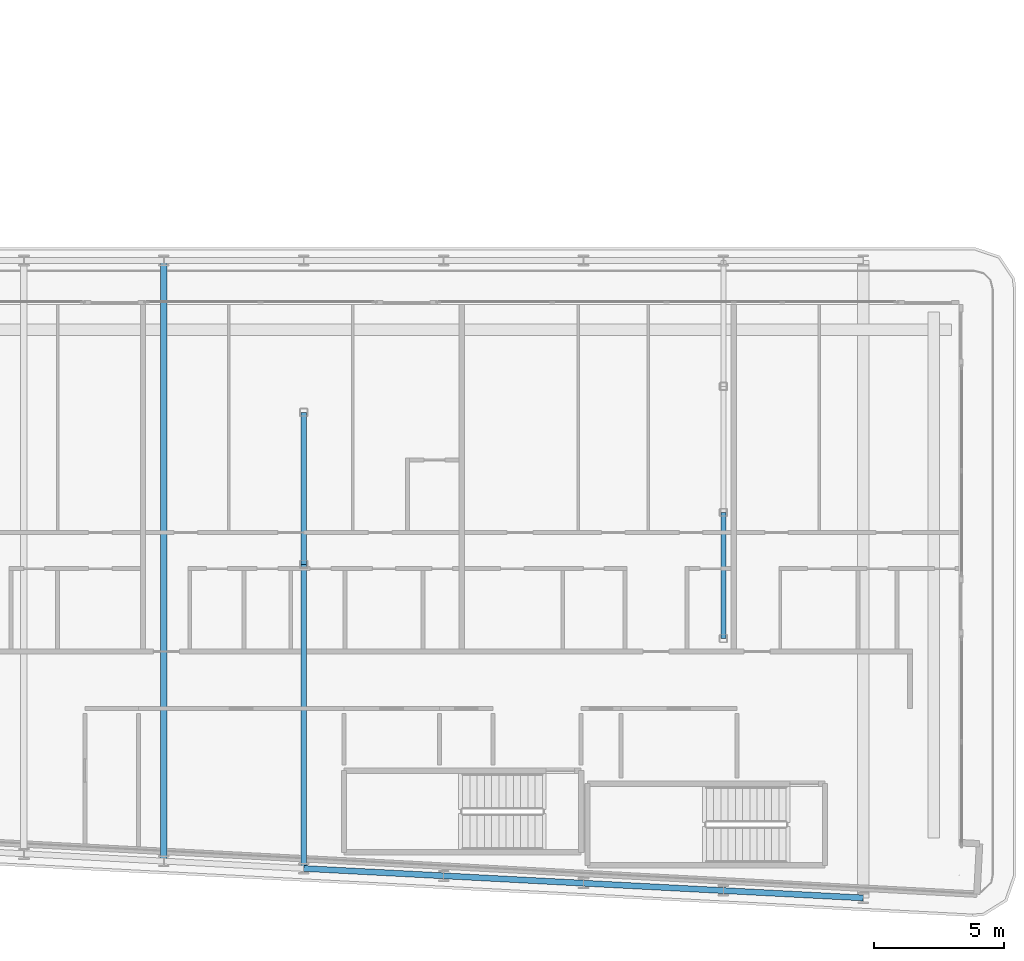
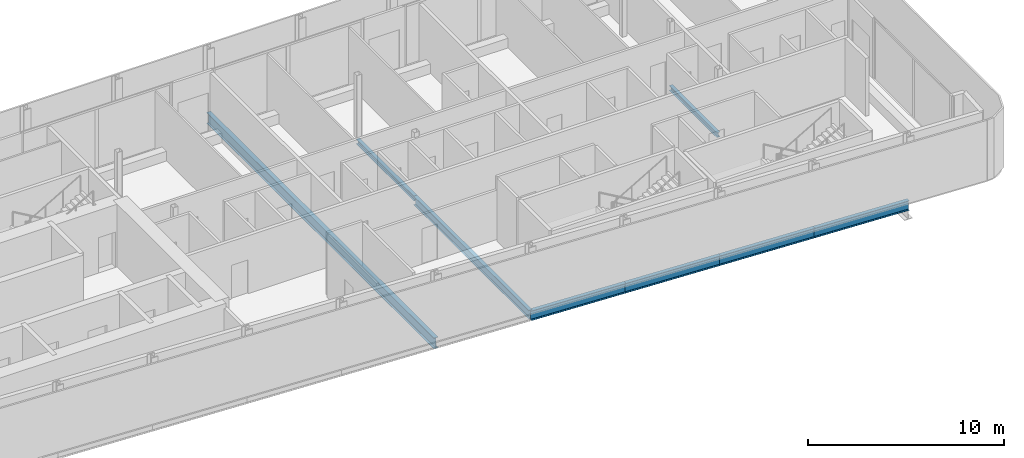
# One storey, part 7 of 29: 8 beams.
"""IFC4 building model written with IfcOpenShell, lengths in metres."""

from ifc_helpers import new_model, si_unit, direction, frame, origin, origin_2d, place, context, subcontext, project, spatial, i_section, extrude, material, material_profile, profile_set, type_object, element, save


model = new_model("IFC4")

# Units and contexts
model_context = context("Model", 3, precision=1e-05, world=origin(), true_north=direction((0.0, 1.0)))
body_context = subcontext(model_context, "Body", "Model", "MODEL_VIEW")
ifc_project = project(units=[si_unit("LENGTHUNIT", "METRE"), si_unit("AREAUNIT", "SQUARE_METRE"), si_unit("VOLUMEUNIT", "CUBIC_METRE"), si_unit("PLANEANGLEUNIT", "RADIAN"), si_unit("MASSUNIT", "GRAM", prefix="KILO")], contexts=[model_context])

# Site, building, storey
site_placement = place(None, origin())
site = spatial("IfcSite", under=ifc_project, at=site_placement, CompositionType="ELEMENT")
building_placement = place(site_placement, origin())
building = spatial("IfcBuilding", under=site, at=building_placement, Name="Kheshtan School and Residences Tower", CompositionType="ELEMENT")
storey_placement = place(building_placement, frame((0.0, 0.0, 172.10009765625)))
storey = spatial("IfcBuildingStorey", under=building, at=storey_placement, Name="L40", CompositionType="ELEMENT", Elevation=172.10009765625)

# Beams
ifc_material = material(Name="Steel ASTM A992 Grade 50", Category="steel")
ifc_material_profile_1 = material_profile(ifc_material, i_section(OverallWidth=0.202880859375, OverallDepth=0.302978515625, WebThickness=0.007568359375, FlangeThickness=0.01318359375, FilletRadius=0.009033203125, at=origin_2d()), Name="W310x60")
ifc_profile_set_1 = profile_set([ifc_material_profile_1], Name="Steel ASTM A992 Grade 50")
beam_type_1 = type_object("IfcBeamType", Name="Beam FB1 W310x60 ASTM A992 Grade 50", PredefinedType="BEAM", material=ifc_profile_set_1)
beam_1_placement = place(storey_placement, frame((85.39990234375, 31.0048828125, -0.301513671875), z_axis=(0.0, 1.0, 0.0), x_axis=(-1.0, 0.0, 0.0)))
element("IfcBeam", 1, at=beam_1_placement, inside=storey, type_object=beam_type_1, Name="Floor beam IC", PredefinedType="BEAM", context=body_context, shape_type="SweptSolid", body=[
    extrude(i_section(OverallWidth=0.202880859375, OverallDepth=0.302978515625, WebThickness=0.007568359375, FlangeThickness=0.01318359375, FilletRadius=0.009033203125, at=origin_2d()), origin(), (0.0, 0.0, 1.0), 4.865234375),
])
beam_2_placement = place(storey_placement, frame((69.199951171875, 33.863037109375, -0.301513671875), z_axis=(0.0, 1.0, 0.0), x_axis=(-1.0, 0.0, 0.0)))
element("IfcBeam", 2, at=beam_2_placement, inside=storey, type_object=beam_type_1, Name="Floor beam IC", PredefinedType="BEAM", context=body_context, shape_type="SweptSolid", body=[
    extrude(i_section(OverallWidth=0.202880859375, OverallDepth=0.302978515625, WebThickness=0.007568359375, FlangeThickness=0.01318359375, FilletRadius=0.009033203125, at=origin_2d()), origin(), (0.0, 0.0, 1.0), 5.868896484375),
])
ifc_material_profile_2 = material_profile(ifc_material, i_section(OverallWidth=0.208984375, OverallDepth=0.532958984375, WebThickness=0.01025390625, FlangeThickness=0.015625, FilletRadius=0.013916015625, at=origin_2d()), Name="W530x92")
ifc_profile_set_2 = profile_set([ifc_material_profile_2], Name="Steel ASTM A992 Grade 50")
beam_type_2 = type_object("IfcBeamType", Name="Beam FB4 W530x92 ASTM A992 Grade 50", PredefinedType="BEAM", material=ifc_profile_set_2)
beam_3_placement = place(storey_placement, frame((69.199951171875, 22.126953125, -0.41650390625), z_axis=(0.0, 1.0, 0.0), x_axis=(-1.0, 0.0, 0.0)))
element("IfcBeam", 3, at=beam_3_placement, inside=storey, type_object=beam_type_2, Name="Floor beam C014", PredefinedType="BEAM", context=body_context, shape_type="SweptSolid", body=[
    extrude(i_section(OverallWidth=0.208984375, OverallDepth=0.532958984375, WebThickness=0.01025390625, FlangeThickness=0.015625, FilletRadius=0.013916015625, at=origin_2d()), origin(), (0.0, 0.0, 1.0), 11.736083984375),
])
ifc_material_profile_3 = material_profile(ifc_material, i_section(OverallWidth=0.2529296875, OverallDepth=0.677978515625, WebThickness=0.01171875, FlangeThickness=0.016357421875, FilletRadius=0.0146484375, at=origin_2d()), Name="W690x125")
ifc_profile_set_3 = profile_set([ifc_material_profile_3], Name="Steel ASTM A992 Grade 50")
beam_type_3 = type_object("IfcBeamType", Name="Beam FB6 W690x125 ASTM A992 Grade 50", PredefinedType="BEAM", material=ifc_profile_set_3)
beam_4_placement = place(storey_placement, frame((63.800048828125, 45.60009765625, -0.489013671875), z_axis=(0.0, -1.0, 0.0), x_axis=(1.0, 0.0, 0.0)))
element("IfcBeam", 4, at=beam_4_placement, inside=storey, type_object=beam_type_3, Name="Floor beam C063", PredefinedType="BEAM", context=body_context, shape_type="SweptSolid", body=[
    extrude(i_section(OverallWidth=0.2529296875, OverallDepth=0.677978515625, WebThickness=0.01171875, FlangeThickness=0.016357421875, FilletRadius=0.0146484375, at=origin_2d()), origin(), (0.0, 0.0, 1.0), 23.189208984375),
])
ifc_material_profile_4 = material_profile(ifc_material, i_section(OverallWidth=0.22802734375, OverallDepth=0.60302734375, WebThickness=0.010498046875, FlangeThickness=0.014892578125, FilletRadius=0.013427734375, at=origin_2d()), Name="W610x101")
ifc_profile_set_4 = profile_set([ifc_material_profile_4], Name="Steel ASTM A992 Grade 50")
beam_type_4 = type_object("IfcBeamType", Name="Beam SP2 W610x101 ASTM A992 Grade 50", PredefinedType="BEAM", material=ifc_profile_set_4)
beam_5_placement = place(storey_placement, frame((90.800048828125, 20.989990234375, -0.45166015625), z_axis=(-0.998620571751, 0.05250670125, 0.0), x_axis=(-0.05250670125, -0.998620571751, 0.0)))
element("IfcBeam", 5, at=beam_5_placement, inside=storey, type_object=beam_type_4, Name="Spandrel beam C006-C008", PredefinedType="BEAM", context=body_context, shape_type="SweptSolid", body=[
    extrude(i_section(OverallWidth=0.22802734375, OverallDepth=0.60302734375, WebThickness=0.010498046875, FlangeThickness=0.014892578125, FilletRadius=0.013427734375, at=origin_2d()), origin(), (0.0, 0.0, 1.0), 5.40771484375),
])
for number, where, z_axis, x_axis, name in (
    (6, (85.39990234375, 21.27392578125, -0.45166015625), (-0.998618078766, 0.052554093665, 0.0), (-0.052554093665, -0.998618078766, 0.0), "Spandrel beam C008-C012"),
    (7, (80.0, 21.55810546875, -0.45166015625), (-0.998610961136, 0.052689166816, 0.0), (-0.052689166816, -0.998610961136, 0.0), "Spandrel beam C012-C013"),
):
    element("IfcBeam", number, at=place(storey_placement, frame(where, z_axis=z_axis, x_axis=x_axis)), inside=storey, type_object=beam_type_4, Name=name, PredefinedType="BEAM", context=body_context, shape_type="SweptSolid", body=[
        extrude(i_section(OverallWidth=0.22802734375, OverallDepth=0.60302734375, WebThickness=0.010498046875, FlangeThickness=0.014892578125, FilletRadius=0.013427734375, at=origin_2d()), origin(), (0.0, 0.0, 1.0), 5.407470703125),
    ])
beam_6_placement = place(storey_placement, frame((74.60009765625, 21.843017578125, -0.45166015625), z_axis=(-0.998620571751, 0.05250670125, 0.0), x_axis=(-0.05250670125, -0.998620571751, 0.0)))
element("IfcBeam", 8, at=beam_6_placement, inside=storey, type_object=beam_type_4, Name="Spandrel beam C013-C014", PredefinedType="BEAM", context=body_context, shape_type="SweptSolid", body=[
    extrude(i_section(OverallWidth=0.22802734375, OverallDepth=0.60302734375, WebThickness=0.010498046875, FlangeThickness=0.014892578125, FilletRadius=0.013427734375, at=origin_2d()), origin(), (0.0, 0.0, 1.0), 5.40771484375),
])

save(model, "model.ifc")
